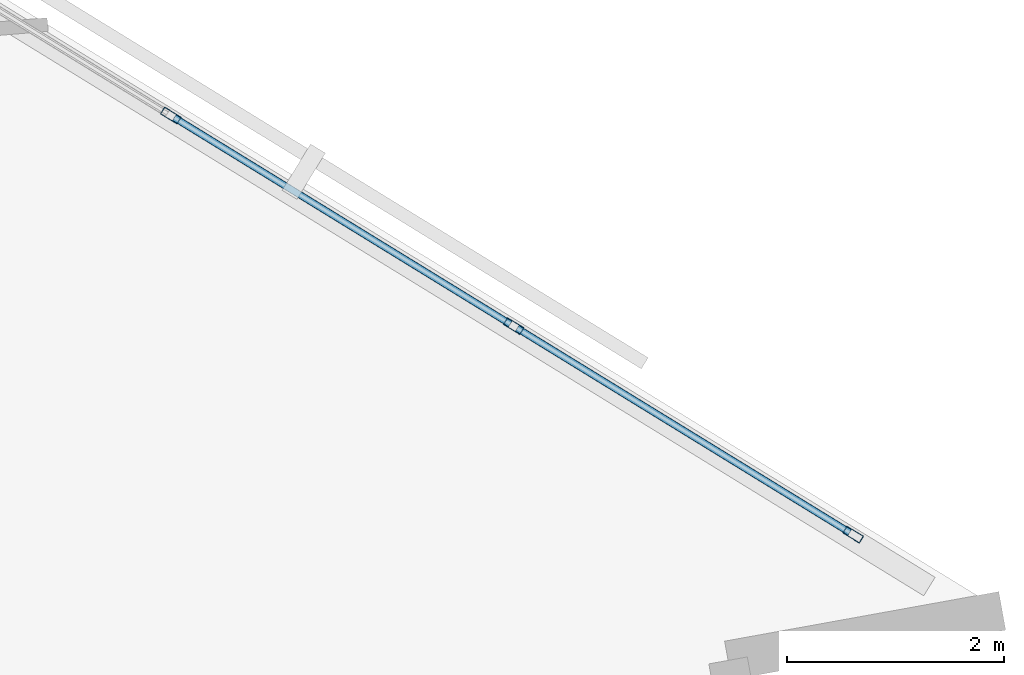
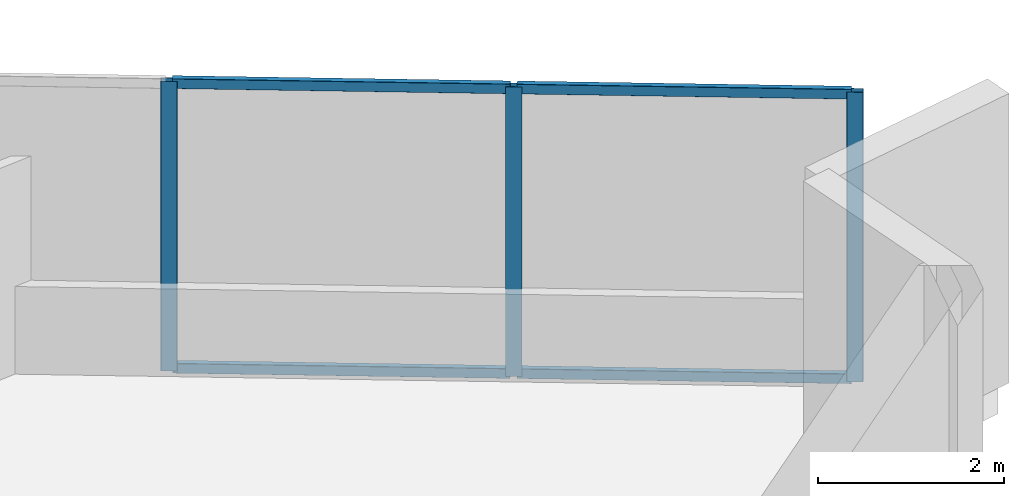
# One storey, part 4 of 19: 7 members, 1 element without a shape of its own.
"""IFC4 building model written with IfcOpenShell, lengths in metres."""

import ifcopenshell
import ifcopenshell.guid

model = None  # the IFC model being written
_history = None  # IfcOwnerHistory: only IFC2X3 demands one
_inside = {}  # id of a spatial element -> (the spatial element, [elements in it])
_under = {}  # id of a project, library or spatial element -> (it, [spatial elements below it])
_declared = {}  # id of a project -> (the project, [libraries it declares])
_typed = {}  # id of a type object -> (the type object, [elements of that type])
_made_of = {}  # id of a material, layer set ... -> (it, [elements and type objects made of it])


def new_model(schema):
    """Start an empty IFC model of exactly this schema.

    Asked for "IFC4X3", IfcOpenShell would pick the latest addendum, in which some entities
    have other attributes; the version numbers below select the first issue.
    IFC2X3 requires an IfcOwnerHistory on every rooted entity: one is made here for all.
    """
    global model, _history
    if schema == "IFC4X3":
        model = ifcopenshell.file(schema_version=(4, 3, 0, 0))
    else:
        model = ifcopenshell.file(schema=schema)
    _inside.clear()
    _under.clear()
    _declared.clear()
    _typed.clear()
    _made_of.clear()
    _history = None
    if model.schema == "IFC2X3":
        org = make("IfcOrganization", Name="unknown")
        user = make(
            "IfcPersonAndOrganization",
            ThePerson=make("IfcPerson", FamilyName="unknown"),
            TheOrganization=org,
        )
        app = make(
            "IfcApplication",
            ApplicationDeveloper=org,
            Version="unknown",
            ApplicationFullName="unknown",
            ApplicationIdentifier="unknown",
        )
        _history = make(
            "IfcOwnerHistory",
            OwningUser=user,
            OwningApplication=app,
            ChangeAction="ADDED",
            CreationDate=0,
        )
    return model


def make(cls, **values):
    """One entity of the class cls with the attributes given. An attribute that is None is left unset."""
    return model.create_entity(
        cls, **{name: value for name, value in values.items() if value is not None}
    )


def rooted(cls, **values):
    """An entity with a GlobalId (a new one), such as an element, a storey or a relation."""
    return make(cls, GlobalId=ifcopenshell.guid.new(), OwnerHistory=_history, **values)


def si_unit(unit_type, name, prefix=None):
    """IfcSIUnit, for example si_unit("LENGTHUNIT", "METRE", prefix="MILLI")."""
    return make("IfcSIUnit", UnitType=unit_type, Prefix=prefix, Name=name)


def assignment(units):
    """IfcUnitAssignment: the units of a project."""
    return None if units is None else make("IfcUnitAssignment", Units=units)


def point(xyz):
    """IfcCartesianPoint."""
    return None if xyz is None else make("IfcCartesianPoint", Coordinates=xyz)


def direction(xyz):
    """IfcDirection."""
    return None if xyz is None else make("IfcDirection", DirectionRatios=xyz)


def frame(location, z_axis=None, x_axis=None):
    """IfcAxis2Placement3D, a coordinate frame: its origin and axes. An axis left out is left unset."""
    return make(
        "IfcAxis2Placement3D",
        Location=point(location),
        Axis=direction(z_axis),
        RefDirection=direction(x_axis),
    )


def frame_2d(location, x_axis=None):
    """IfcAxis2Placement2D, a coordinate frame in the plane: its origin and x axis."""
    return make(
        "IfcAxis2Placement2D", Location=point(location), RefDirection=direction(x_axis)
    )


def origin():
    """The frame at (0, 0, 0) with its axes left unset."""
    return frame((0.0, 0.0, 0.0))


def origin_2d():
    """The frame at (0, 0) in the plane with its x axis left unset."""
    return frame_2d((0.0, 0.0))


def place(relative_to, where):
    """IfcLocalPlacement: puts the frame where relative to a parent placement (None: the world)."""
    return make(
        "IfcLocalPlacement", PlacementRelTo=relative_to, RelativePlacement=where
    )


def context(
    kind, dimensions, precision=None, world=None, true_north=None, identifier=None
):
    """IfcGeometricRepresentationContext, for example the 3D "Model" context."""
    return make(
        "IfcGeometricRepresentationContext",
        ContextIdentifier=identifier,
        ContextType=kind,
        CoordinateSpaceDimension=dimensions,
        Precision=precision,
        WorldCoordinateSystem=world,
        TrueNorth=true_north,
    )


def subcontext(parent, identifier, kind, view, scale=None):
    """IfcGeometricRepresentationSubContext, for example "Body" below "Model"."""
    return make(
        "IfcGeometricRepresentationSubContext",
        ContextIdentifier=identifier,
        ContextType=kind,
        ParentContext=parent,
        TargetScale=scale,
        TargetView=view,
    )


def project(units=None, contexts=None):
    """IfcProject with its units and contexts."""
    return rooted(
        "IfcProject",
        Name="project",
        RepresentationContexts=contexts,
        UnitsInContext=assignment(units),
    )


def spatial(cls, under=None, at=None, **own):
    """A site, building, storey or space (cls), placed at a placement, below another one or the project."""
    s = rooted(cls, ObjectPlacement=at, **own)
    if under is not None:
        _under.setdefault(under.id(), (under, []))[1].append(s)
    return s


def profile(cls, at=None, kind="AREA", **sizes):
    """A parametric profile (cls). Its sizes go by their IFC names, for example OverallWidth=200.0."""
    return make(cls, ProfileType=kind, Position=at, **sizes)


def hollow_rectangle(**sizes):
    """IfcRectangleHollowProfileDef."""
    return profile("IfcRectangleHollowProfileDef", **sizes)


def extrude(swept, where, along, depth):
    """IfcExtrudedAreaSolid: the profile swept, set in the frame where, extruded along a direction by depth."""
    return make(
        "IfcExtrudedAreaSolid",
        SweptArea=swept,
        Position=where,
        ExtrudedDirection=direction(along),
        Depth=depth,
    )


def shape(context_of_items, identifier, shape_type, items):
    """IfcShapeRepresentation: the items that make up one representation, for example the "Body"."""
    return make(
        "IfcShapeRepresentation",
        ContextOfItems=context_of_items,
        RepresentationIdentifier=identifier,
        RepresentationType=shape_type,
        Items=items,
    )


def material(Name=None, Category=None):
    """IfcMaterial."""
    return make("IfcMaterial", Name=Name, Category=Category)


def material_profile(
    of_material, cross_section, Name=None, Category=None, Priority=None
):
    """IfcMaterialProfile: a cross section and its material."""
    return make(
        "IfcMaterialProfile",
        Name=Name,
        Material=of_material,
        Profile=cross_section,
        Priority=Priority,
        Category=Category,
    )


def profile_set(profiles, Name=None, composite=None):
    """IfcMaterialProfileSet."""
    return make(
        "IfcMaterialProfileSet",
        Name=Name,
        MaterialProfiles=profiles,
        CompositeProfile=composite,
    )


def made_of(thing, what):
    """Note that an element or type object is made of a material, layer set ...; save() writes the relation."""
    if what is not None:
        _made_of.setdefault(what.id(), (what, []))[1].append(thing)
    return thing


def type_object(cls, material=None, **own):
    """A type object (cls), such as IfcWallType, which elements share."""
    return made_of(rooted(cls, **own), material)


def element(
    cls,
    number,
    at=None,
    inside=None,
    cuts=None,
    type_object=None,
    material=None,
    context=None,
    identifier="Body",
    shape_type=None,
    held_by="IfcProductDefinitionShape",
    body=None,
    shapes=None,
    **own,
):
    """One element of the class cls, such as IfcWall. Its Tag is "e" and its number.

    at: its placement. inside: the storey or other place that contains it. cuts: it is an
    opening in that element (IfcRelVoidsElement). A single representation is given by context,
    identifier, shape_type and body (its items); several are given by shapes. held_by: the class
    of the entity that holds the representations. save() writes the other relations.
    """
    e = rooted(cls, Tag="e%d" % number, ObjectPlacement=at, **own)
    if body is not None:
        shapes = [shape(context, identifier, shape_type, body)]
    if shapes is not None:
        e.Representation = make(held_by, Representations=shapes)
    if inside is not None:
        _inside.setdefault(inside.id(), (inside, []))[1].append(e)
    if cuts is not None:
        rooted(
            "IfcRelVoidsElement", RelatingBuildingElement=cuts, RelatedOpeningElement=e
        )
    if type_object is not None:
        _typed.setdefault(type_object.id(), (type_object, []))[1].append(e)
    return made_of(e, material)


def aggregate(whole, parts):
    """IfcRelAggregates: a whole, such as a stair, and the parts it consists of."""
    return rooted("IfcRelAggregates", RelatingObject=whole, RelatedObjects=parts)


def save(model, path):
    """Write the relations noted so far, then the file.

    IfcRelAggregates (storeys below a building ...), IfcRelContainedInSpatialStructure (elements
    in a storey), IfcRelDefinesByType, IfcRelAssociatesMaterial and IfcRelDeclares: one each for
    every whole, place, type object, material and project.
    """
    for whole, parts in _under.values():
        aggregate(whole, parts)
    for where, things in _inside.values():
        rooted(
            "IfcRelContainedInSpatialStructure",
            RelatedElements=things,
            RelatingStructure=where,
        )
    for kind, things in _typed.values():
        rooted("IfcRelDefinesByType", RelatedObjects=things, RelatingType=kind)
    for what, things in _made_of.values():
        rooted("IfcRelAssociatesMaterial", RelatedObjects=things, RelatingMaterial=what)
    for by, libraries in _declared.values():
        rooted("IfcRelDeclares", RelatingContext=by, RelatedDefinitions=libraries)
    model.write(path)


model = new_model("IFC4")

# Units and contexts
model_context = context("Model", 3, precision=1e-05, world=origin(), true_north=direction((0.0, 1.0)))
body_context = subcontext(model_context, "Body", "Model", "MODEL_VIEW")
ifc_project = project(units=[si_unit("LENGTHUNIT", "METRE"), si_unit("AREAUNIT", "SQUARE_METRE"), si_unit("VOLUMEUNIT", "CUBIC_METRE"), si_unit("PLANEANGLEUNIT", "RADIAN"), si_unit("MASSUNIT", "GRAM", prefix="KILO")], contexts=[model_context])

# Site, building, storey
site_placement = place(None, origin())
site = spatial("IfcSite", under=ifc_project, at=site_placement, CompositionType="ELEMENT")
building_placement = place(site_placement, origin())
building = spatial("IfcBuilding", under=site, at=building_placement, Name="Narakoshi Arena Tower", CompositionType="ELEMENT")
storey_placement = place(building_placement, frame((0.0, 0.0, 128.10009765625)))
storey = spatial("IfcBuildingStorey", under=building, at=storey_placement, Name="L34", CompositionType="ELEMENT", Elevation=128.10009765625)

# Curtain wall, members
ifc_material = material(Name="Anodised bronze aluminium 6063-T6", Category="aluminium")
curtain_wall_type = type_object("IfcCurtainWallType", Name="CW-HYP-LOW", PredefinedType="NOTDEFINED", material=ifc_material)
curtain_wall_placement = place(storey_placement, origin())
curtain_wall = element("IfcCurtainWall", 1, at=curtain_wall_placement, inside=storey, type_object=curtain_wall_type, Name="L34 Folded Hypotenuse Curtain Wall 1-1", PredefinedType="NOTDEFINED")
ifc_material_profile_1 = material_profile(ifc_material, hollow_rectangle(XDim=0.074951171875, YDim=0.179931640625, WallThickness=0.00390625, OuterFilletRadius=0.0048828125, at=origin_2d()), Name="MUL180x75x4")
ifc_profile_set_1 = profile_set([ifc_material_profile_1], Name="Anodised bronze aluminium 6063-T6")
member_type_1 = type_object("IfcMemberType", Name="MEM-MUL-180", PredefinedType="MULLION", material=ifc_profile_set_1)
member_1_placement = place(storey_placement, frame((119.16259765625, 43.548583984375, 0.0), z_axis=(0.0, 0.0, 1.0), x_axis=(-0.523358055641, -0.852112871394, 0.0)))
member_1 = element("IfcMember", 2, at=member_1_placement, type_object=member_type_1, Name="CW-01 mullion 1", PredefinedType="MULLION", context=body_context, shape_type="SweptSolid", body=[
    extrude(hollow_rectangle(XDim=0.074951171875, YDim=0.179931640625, WallThickness=0.00390625, OuterFilletRadius=0.0048828125, at=origin_2d()), origin(), (0.0, 0.0, 1.0), 3.7998046875),
])
member_2_placement = place(storey_placement, frame((116.03564453125, 45.46923828125, 0.0), z_axis=(0.0, 0.0, 1.0), x_axis=(-0.523358055641, -0.852112871394, 0.0)))
member_2 = element("IfcMember", 3, at=member_2_placement, type_object=member_type_1, Name="CW-01 mullion 2", PredefinedType="MULLION", context=body_context, shape_type="SweptSolid", body=[
    extrude(hollow_rectangle(XDim=0.074951171875, YDim=0.179931640625, WallThickness=0.00390625, OuterFilletRadius=0.0048828125, at=origin_2d()), origin(), (0.0, 0.0, 1.0), 3.7998046875),
])
member_3_placement = place(storey_placement, frame((112.876708984375, 47.4091796875, 0.0), z_axis=(0.0, 0.0, 1.0), x_axis=(-0.523358055641, -0.852112871394, 0.0)))
member_3 = element("IfcMember", 4, at=member_3_placement, type_object=member_type_1, Name="CW-01 mullion 3", PredefinedType="MULLION", context=body_context, shape_type="SweptSolid", body=[
    extrude(hollow_rectangle(XDim=0.074951171875, YDim=0.179931640625, WallThickness=0.00390625, OuterFilletRadius=0.0048828125, at=origin_2d()), origin(), (0.0, 0.0, 1.0), 3.7998046875),
])
ifc_material_profile_2 = material_profile(ifc_material, hollow_rectangle(XDim=0.06494140625, YDim=0.1298828125, WallThickness=0.00390625, OuterFilletRadius=0.0048828125, at=origin_2d()), Name="TRN130x65x4")
ifc_profile_set_2 = profile_set([ifc_material_profile_2], Name="Anodised bronze aluminium 6063-T6")
member_type_2 = type_object("IfcMemberType", Name="MEM-TRN-130", PredefinedType="USERDEFINED", material=ifc_profile_set_2)
member_4_placement = place(storey_placement, frame((119.130615234375, 43.568359375, 0.032470703125), z_axis=(-0.852131372672, 0.523327931328, 0.0), x_axis=(-0.523327931328, -0.852131372672, 0.0)))
member_4 = element("IfcMember", 5, at=member_4_placement, type_object=member_type_2, Name="CW-01 transom 1.1", ObjectType="TRANSOM", PredefinedType="USERDEFINED", context=body_context, shape_type="SweptSolid", body=[
    extrude(hollow_rectangle(XDim=0.06494140625, YDim=0.1298828125, WallThickness=0.00390625, OuterFilletRadius=0.0048828125, at=origin_2d()), origin(), (0.0, 0.0, 1.0), 3.594482421875),
])
member_5_placement = place(storey_placement, frame((119.130615234375, 43.568359375, 3.767333984375), z_axis=(-0.852131372672, 0.523327931328, 0.0), x_axis=(-0.523327931328, -0.852131372672, 0.0)))
member_5 = element("IfcMember", 6, at=member_5_placement, type_object=member_type_2, Name="CW-01 transom 1.2", ObjectType="TRANSOM", PredefinedType="USERDEFINED", context=body_context, shape_type="SweptSolid", body=[
    extrude(hollow_rectangle(XDim=0.06494140625, YDim=0.1298828125, WallThickness=0.00390625, OuterFilletRadius=0.0048828125, at=origin_2d()), origin(), (0.0, 0.0, 1.0), 3.594482421875),
])
member_6_placement = place(storey_placement, frame((116.003662109375, 45.48876953125, 0.032470703125), z_axis=(-0.852114955894, 0.523354661717, 0.0), x_axis=(-0.523354661717, -0.852114955894, 0.0)))
member_6 = element("IfcMember", 7, at=member_6_placement, type_object=member_type_2, Name="CW-01 transom 2.1", ObjectType="TRANSOM", PredefinedType="USERDEFINED", context=body_context, shape_type="SweptSolid", body=[
    extrude(hollow_rectangle(XDim=0.06494140625, YDim=0.1298828125, WallThickness=0.00390625, OuterFilletRadius=0.0048828125, at=origin_2d()), origin(), (0.0, 0.0, 1.0), 3.632080078125),
])
member_7_placement = place(storey_placement, frame((116.003662109375, 45.48876953125, 3.767333984375), z_axis=(-0.852114955894, 0.523354661717, 0.0), x_axis=(-0.523354661717, -0.852114955894, 0.0)))
member_7 = element("IfcMember", 8, at=member_7_placement, type_object=member_type_2, Name="CW-01 transom 2.2", ObjectType="TRANSOM", PredefinedType="USERDEFINED", context=body_context, shape_type="SweptSolid", body=[
    extrude(hollow_rectangle(XDim=0.06494140625, YDim=0.1298828125, WallThickness=0.00390625, OuterFilletRadius=0.0048828125, at=origin_2d()), origin(), (0.0, 0.0, 1.0), 3.632080078125),
])
aggregate(curtain_wall, [member_1, member_2, member_3, member_4, member_5, member_6, member_7])

save(model, "model.ifc")
